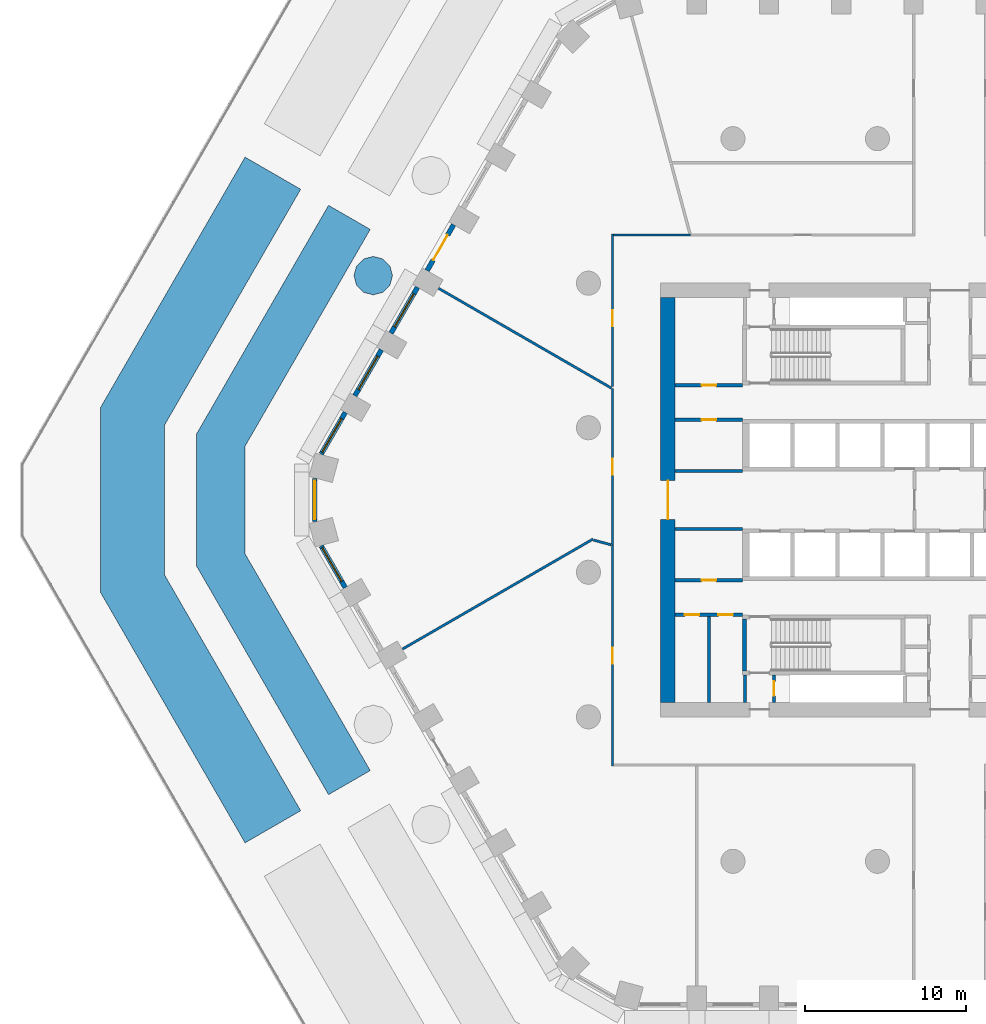
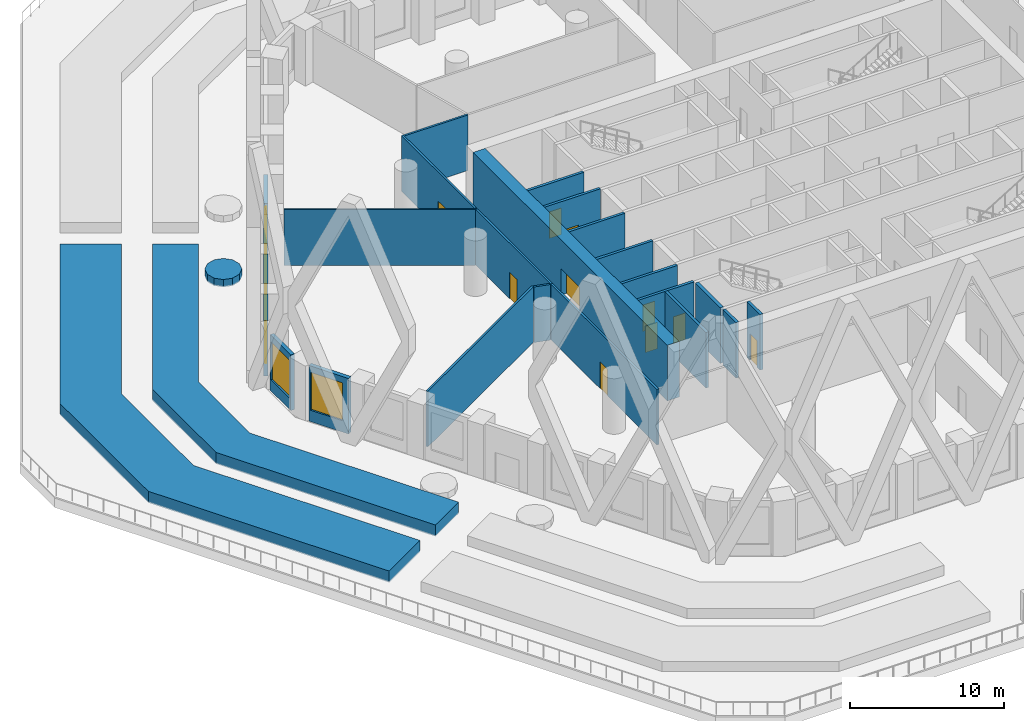
# One storey, part 5 of 27: 27 walls, 11 doors, 5 windows, 16 openings.
"""IFC4 building model written with IfcOpenShell, lengths in metres."""

from ifc_helpers import new_model, si_unit, direction, frame, frame_2d, origin, place, context, subcontext, project, spatial, polyline, rectangle, outline, extrude, material, layer, layer_set, type_object, element, fill, save


model = new_model("IFC4")

# Units and contexts
model_context = context("Model", 3, precision=1e-05, world=origin(), true_north=direction((0.0, 1.0)))
body_context = subcontext(model_context, "Body", "Model", "MODEL_VIEW")
ifc_project = project(units=[si_unit("LENGTHUNIT", "METRE"), si_unit("AREAUNIT", "SQUARE_METRE"), si_unit("VOLUMEUNIT", "CUBIC_METRE"), si_unit("PLANEANGLEUNIT", "RADIAN"), si_unit("MASSUNIT", "GRAM", prefix="KILO")], contexts=[model_context])

# Site, building, storey
site_placement = place(None, origin())
site = spatial("IfcSite", under=ifc_project, at=site_placement, CompositionType="ELEMENT")
building_placement = place(site_placement, origin())
building = spatial("IfcBuilding", under=site, at=building_placement, Name="Dhurran Vertical Campus", CompositionType="ELEMENT")
storey_placement = place(building_placement, frame((0.0, 0.0, 10.800048828125)))
storey = spatial("IfcBuildingStorey", under=building, at=storey_placement, Name="L02", CompositionType="ELEMENT", Elevation=10.800048828125)

# Wall, opening, door
ifc_material_1 = material(Name="Precast concrete C50/60", Category="concrete")
ifc_layer_1 = layer(ifc_material_1, 0.300048828125)
ifc_layer_set_1 = layer_set([ifc_layer_1], Name="Precast concrete C50/60")
wall_type_1 = type_object("IfcWallType", Name="Precast spandrel wall 300", PredefinedType="SOLIDWALL", material=ifc_layer_set_1)
wall_1_placement = place(storey_placement, frame((-32.543701171875, 14.286376953125, 0.0), z_axis=(0.0, 0.0, 1.0), x_axis=(0.499991515992, 0.866030301974, 0.0)))
wall_1 = element("IfcWall", 1, at=wall_1_placement, inside=storey, type_object=wall_type_1, Name="EW1 L02.39", PredefinedType="SOLIDWALL", context=body_context, shape_type="SweptSolid", body=[
    extrude(rectangle(XDim=3.298828125, YDim=0.300048828125, at=frame_2d((1.6494140625, 0.0))), origin(), (0.0, 0.0, 1.0), 4.39990234375),
])
opening_1_placement = place(wall_1_placement, frame((0.74951171875, 0.0, 0.0)))
opening_1 = element("IfcOpeningElement", 2, at=opening_1_placement, cuts=wall_1, Name="Opening D105", PredefinedType="OPENING", context=body_context, shape_type="SweptSolid", body=[
    extrude(rectangle(XDim=1.800048828125, YDim=2.39990234375, at=frame_2d((0.89990234375, 1.199951171875))), frame((0.0, 0.159912109375, 0.0), z_axis=(0.0, -1.0, 0.0), x_axis=(1.0, 0.0, 0.0)), (0.0, 0.0, 1.0), 0.320068359375),
])
ifc_material_2 = material(Name="Aluminium and clear glass", Category="aluminium")
door_type_1 = type_object("IfcDoorType", Name="Aluminium and glass garden door pair 1800 x 2400", OperationType="DOUBLE_DOOR_SINGLE_SWING", PredefinedType="DOOR", material=ifc_material_2)
door_1_placement = place(opening_1_placement, origin())
door_1 = element("IfcDoor", 3, at=door_1_placement, inside=storey, type_object=door_type_1, Name="D105 garden deck door", OperationType="DOUBLE_DOOR_SINGLE_SWING", OverallHeight=2.39990234375, OverallWidth=1.800048828125, PredefinedType="DOOR", context=body_context, shape_type="SweptSolid", body=[
    extrude(rectangle(XDim=1.800048828125, YDim=2.39990234375, at=frame_2d((0.89990234375, 1.199951171875))), frame((0.0, 0.02490234375, 0.0), z_axis=(0.0, -1.0, 0.0), x_axis=(1.0, 0.0, 0.0)), (0.0, 0.0, 1.0), 0.050048828125),
])
fill(opening_1, door_1)

# Wall, opening, window
wall_2_placement = place(storey_placement, frame((-33.144287109375, 13.246337890625, 0.0), z_axis=(0.0, 0.0, 1.0), x_axis=(-0.499991515992, -0.866030301974, 0.0)))
wall_2 = element("IfcWall", 4, at=wall_2_placement, inside=storey, type_object=wall_type_1, Name="EW1 L02.40", PredefinedType="SOLIDWALL", context=body_context, shape_type="SweptSolid", body=[
    extrude(rectangle(XDim=3.298828125, YDim=0.300048828125, at=frame_2d((1.6494140625, 0.0))), origin(), (0.0, 0.0, 1.0), 4.39990234375),
])
opening_2_placement = place(wall_2_placement, frame((0.449462890625, 0.0, 0.89990234375)))
opening_2 = element("IfcOpeningElement", 5, at=opening_2_placement, cuts=wall_2, Name="Opening WT2", PredefinedType="OPENING", context=body_context, shape_type="SweptSolid", body=[
    extrude(rectangle(XDim=2.39990234375, YDim=3.0, at=frame_2d((1.199951171875, 1.5))), frame((0.0, 0.159912109375, 0.0), z_axis=(0.0, -1.0, 0.0), x_axis=(1.0, 0.0, 0.0)), (0.0, 0.0, 1.0), 0.320068359375),
])
ifc_material_3 = material(Name="Aluminium frame with solar-control glass", Category="aluminium")
window_type = type_object("IfcWindowType", Name="Podium window 2400 x 3000", PartitioningType="SINGLE_PANEL", PredefinedType="WINDOW", material=ifc_material_3)
window_1_placement = place(opening_2_placement, origin())
window_1 = element("IfcWindow", 6, at=window_1_placement, inside=storey, type_object=window_type, Name="WT2 L02.40", OverallHeight=3.0, OverallWidth=2.39990234375, PartitioningType="SINGLE_PANEL", PredefinedType="WINDOW", context=body_context, shape_type="SweptSolid", body=[
    extrude(rectangle(XDim=2.39990234375, YDim=3.0, at=frame_2d((1.199951171875, 1.5))), frame((0.0, 0.030029296875, 0.0), z_axis=(0.0, -1.0, 0.0), x_axis=(1.0, 0.0, 0.0)), (0.0, 0.0, 1.0), 0.06005859375),
])
fill(opening_2, window_1)

wall_3_placement = place(storey_placement, frame((-35.394287109375, 9.34912109375, 0.0), z_axis=(0.0, 0.0, 1.0), x_axis=(-0.499991515992, -0.866030301974, 0.0)))
wall_3 = element("IfcWall", 7, at=wall_3_placement, inside=storey, type_object=wall_type_1, Name="EW1 L02.41", PredefinedType="SOLIDWALL", context=body_context, shape_type="SweptSolid", body=[
    extrude(rectangle(XDim=3.298828125, YDim=0.300048828125, at=frame_2d((1.6494140625, 0.0))), origin(), (0.0, 0.0, 1.0), 4.39990234375),
])
opening_3_placement = place(wall_3_placement, frame((0.449462890625, 0.0, 0.89990234375)))
opening_3 = element("IfcOpeningElement", 8, at=opening_3_placement, cuts=wall_3, Name="Opening WT2", PredefinedType="OPENING", context=body_context, shape_type="SweptSolid", body=[
    extrude(rectangle(XDim=2.39990234375, YDim=3.0, at=frame_2d((1.199951171875, 1.5))), frame((0.0, 0.159912109375, 0.0), z_axis=(0.0, -1.0, 0.0), x_axis=(1.0, 0.0, 0.0)), (0.0, 0.0, 1.0), 0.320068359375),
])
window_2_placement = place(opening_3_placement, origin())
window_2 = element("IfcWindow", 9, at=window_2_placement, inside=storey, type_object=window_type, Name="WT2 L02.41", OverallHeight=3.0, OverallWidth=2.39990234375, PartitioningType="SINGLE_PANEL", PredefinedType="WINDOW", context=body_context, shape_type="SweptSolid", body=[
    extrude(rectangle(XDim=2.39990234375, YDim=3.0, at=frame_2d((1.199951171875, 1.5))), frame((0.0, 0.030029296875, 0.0), z_axis=(0.0, -1.0, 0.0), x_axis=(1.0, 0.0, 0.0)), (0.0, 0.0, 1.0), 0.06005859375),
])
fill(opening_3, window_2)

wall_4_placement = place(storey_placement, frame((-37.644287109375, 5.4521484375, 0.0), z_axis=(0.0, 0.0, 1.0), x_axis=(-0.49999586137, -0.866027793211, 0.0)))
wall_4 = element("IfcWall", 10, at=wall_4_placement, inside=storey, type_object=wall_type_1, Name="EW1 L02.42", PredefinedType="SOLIDWALL", context=body_context, shape_type="SweptSolid", body=[
    extrude(rectangle(XDim=2.98876953125, YDim=0.300048828125, at=frame_2d((1.494384765625, 0.0))), origin(), (0.0, 0.0, 1.0), 4.39990234375),
])
opening_4_placement = place(wall_4_placement, frame((0.449462890625, 0.0, 0.89990234375)))
opening_4 = element("IfcOpeningElement", 11, at=opening_4_placement, cuts=wall_4, Name="Opening WT2", PredefinedType="OPENING", context=body_context, shape_type="SweptSolid", body=[
    extrude(rectangle(XDim=2.39990234375, YDim=3.0, at=frame_2d((1.199951171875, 1.5))), frame((0.0, 0.159912109375, 0.0), z_axis=(0.0, -1.0, 0.0), x_axis=(1.0, 0.0, 0.0)), (0.0, 0.0, 1.0), 0.320068359375),
])
window_3_placement = place(opening_4_placement, origin())
window_3 = element("IfcWindow", 12, at=window_3_placement, inside=storey, type_object=window_type, Name="WT2 L02.42", OverallHeight=3.0, OverallWidth=2.39990234375, PartitioningType="SINGLE_PANEL", PredefinedType="WINDOW", context=body_context, shape_type="SweptSolid", body=[
    extrude(rectangle(XDim=2.39990234375, YDim=3.0, at=frame_2d((1.199951171875, 1.5))), frame((0.0, 0.030029296875, 0.0), z_axis=(0.0, -1.0, 0.0), x_axis=(1.0, 0.0, 0.0)), (0.0, 0.0, 1.0), 0.06005859375),
])
fill(opening_4, window_3)

wall_5_placement = place(storey_placement, frame((-39.547119140625, 1.33935546875, 0.0), z_axis=(0.0, 0.0, 1.0), x_axis=(0.0, -1.0, 0.0)))
wall_5 = element("IfcWall", 13, at=wall_5_placement, inside=storey, type_object=wall_type_1, Name="EW1 L02.43", PredefinedType="SOLIDWALL", context=body_context, shape_type="SweptSolid", body=[
    extrude(rectangle(XDim=2.6787109375, YDim=0.300048828125, at=frame_2d((1.33935546875, 0.0))), origin(), (0.0, 0.0, 1.0), 4.39990234375),
])
opening_5_placement = place(wall_5_placement, frame((0.139404296875, 0.0, 0.89990234375)))
opening_5 = element("IfcOpeningElement", 14, at=opening_5_placement, cuts=wall_5, Name="Opening WT2", PredefinedType="OPENING", context=body_context, shape_type="SweptSolid", body=[
    extrude(rectangle(XDim=2.39990234375, YDim=3.0, at=frame_2d((1.199951171875, 1.5))), frame((0.0, 0.159912109375, 0.0), z_axis=(0.0, -1.0, 0.0), x_axis=(1.0, 0.0, 0.0)), (0.0, 0.0, 1.0), 0.320068359375),
])
window_4_placement = place(opening_5_placement, origin())
window_4 = element("IfcWindow", 15, at=window_4_placement, inside=storey, type_object=window_type, Name="WT2 L02.43", OverallHeight=3.0, OverallWidth=2.39990234375, PartitioningType="SINGLE_PANEL", PredefinedType="WINDOW", context=body_context, shape_type="SweptSolid", body=[
    extrude(rectangle(XDim=2.39990234375, YDim=3.0, at=frame_2d((1.199951171875, 1.5))), frame((0.0, 0.030029296875, 0.0), z_axis=(0.0, -1.0, 0.0), x_axis=(1.0, 0.0, 0.0)), (0.0, 0.0, 1.0), 0.06005859375),
])
fill(opening_5, window_4)

wall_6_placement = place(storey_placement, frame((-39.138671875, -2.86376953125, 0.0), z_axis=(0.0, 0.0, 1.0), x_axis=(0.49999586137, -0.866027793211, 0.0)))
wall_6 = element("IfcWall", 16, at=wall_6_placement, inside=storey, type_object=wall_type_1, Name="EW1 L02.44", PredefinedType="SOLIDWALL", context=body_context, shape_type="SweptSolid", body=[
    extrude(rectangle(XDim=2.98876953125, YDim=0.300048828125, at=frame_2d((1.494384765625, 0.0))), origin(), (0.0, 0.0, 1.0), 4.39990234375),
])
opening_6_placement = place(wall_6_placement, frame((0.139404296875, 0.0, 0.89990234375)))
opening_6 = element("IfcOpeningElement", 17, at=opening_6_placement, cuts=wall_6, Name="Opening WT2", PredefinedType="OPENING", context=body_context, shape_type="SweptSolid", body=[
    extrude(rectangle(XDim=2.39990234375, YDim=3.0, at=frame_2d((1.199951171875, 1.5))), frame((0.0, 0.159912109375, 0.0), z_axis=(0.0, -1.0, 0.0), x_axis=(1.0, 0.0, 0.0)), (0.0, 0.0, 1.0), 0.320068359375),
])
window_5_placement = place(opening_6_placement, origin())
window_5 = element("IfcWindow", 18, at=window_5_placement, inside=storey, type_object=window_type, Name="WT2 L02.44", OverallHeight=3.0, OverallWidth=2.39990234375, PartitioningType="SINGLE_PANEL", PredefinedType="WINDOW", context=body_context, shape_type="SweptSolid", body=[
    extrude(rectangle(XDim=2.39990234375, YDim=3.0, at=frame_2d((1.199951171875, 1.5))), frame((0.0, 0.030029296875, 0.0), z_axis=(0.0, -1.0, 0.0), x_axis=(1.0, 0.0, 0.0)), (0.0, 0.0, 1.0), 0.06005859375),
])
fill(opening_6, window_5)

# Wall, opening, door
ifc_material_4 = material(Name="Concrete C60/75", Category="concrete")
ifc_layer_2 = layer(ifc_material_4, 0.89990234375)
ifc_layer_set_2 = layer_set([ifc_layer_2], Name="Concrete C60/75")
wall_type_2 = type_object("IfcWallType", Name="co-CORE-WALL-C0-900", PredefinedType="SHEAR", material=ifc_layer_set_2)
wall_7_placement = place(storey_placement, frame((-17.550048828125, -12.60009765625, 0.0), z_axis=(0.0, 0.0, 1.0), x_axis=(0.0, 1.0, 0.0)))
wall_7 = element("IfcWall", 19, at=wall_7_placement, inside=storey, type_object=wall_type_2, Name="Core wall W L02", PredefinedType="SHEAR", context=body_context, shape_type="SweptSolid", body=[
    extrude(rectangle(XDim=25.2001953125, YDim=0.89990234375, at=frame_2d((12.60009765625, 0.0))), origin(), (0.0, 0.0, 1.0), 4.39990234375),
])
opening_7_placement = place(wall_7_placement, frame((11.39990234375, 0.0, 0.0)))
opening_7 = element("IfcOpeningElement", 20, at=opening_7_placement, cuts=wall_7, Name="Opening CL1", PredefinedType="OPENING", context=body_context, shape_type="SweptSolid", body=[
    extrude(rectangle(XDim=2.39990234375, YDim=2.10009765625, at=frame_2d((1.199951171875, 1.050048828125))), frame((0.0, 0.4599609375, 0.0), z_axis=(0.0, -1.0, 0.0), x_axis=(1.0, 0.0, 0.0)), (0.0, 0.0, 1.0), 0.919921875),
])
ifc_material_5 = material(Name="Fire-rated glazed door set")
door_type_2 = type_object("IfcDoorType", Name="co-D-LOBBY 2400x2100", OperationType="DOUBLE_DOOR_DOUBLE_SWING", PredefinedType="DOOR", material=ifc_material_5)
door_2_placement = place(opening_7_placement, origin())
door_2 = element("IfcDoor", 21, at=door_2_placement, inside=storey, type_object=door_type_2, Name="Lift lobby door W L02", OperationType="DOUBLE_DOOR_DOUBLE_SWING", OverallHeight=2.10009765625, OverallWidth=2.39990234375, PredefinedType="DOOR", context=body_context, shape_type="SweptSolid", body=[
    extrude(rectangle(XDim=2.39990234375, YDim=2.10009765625, at=frame_2d((1.199951171875, 1.050048828125))), frame((0.0, 0.02490234375, 0.0), z_axis=(0.0, -1.0, 0.0), x_axis=(1.0, 0.0, 0.0)), (0.0, 0.0, 1.0), 0.050048828125),
])
fill(opening_7, door_2)

# Wall
ifc_material_6 = material(Name="Fire-rated masonry blockwork", Category="masonry")
ifc_layer_3 = layer(ifc_material_6, 0.199951171875)
ifc_layer_set_3 = layer_set([ifc_layer_3], Name="Fire-rated masonry blockwork")
wall_type_3 = type_object("IfcWallType", Name="co-FIRE-PARTITION-200", PredefinedType="PARTITIONING", material=ifc_layer_set_3)
wall_8_placement = place(storey_placement, frame((-12.75, -12.60009765625, 0.0), z_axis=(0.0, 0.0, 1.0), x_axis=(0.0, 1.0, 0.0)))
element("IfcWall", 22, at=wall_8_placement, inside=storey, type_object=wall_type_3, Name="Core partition pass-ST3-o L02", PredefinedType="PARTITIONING", context=body_context, shape_type="SweptSolid", body=[
    extrude(rectangle(XDim=1.7001953125, YDim=0.199951171875, at=frame_2d((0.85009765625, 0.0))), origin(), (0.0, 0.0, 1.0), 4.39990234375),
])

# Wall, opening, door
wall_9_placement = place(storey_placement, frame((-10.949951171875, -12.60009765625, 0.0), z_axis=(0.0, 0.0, 1.0), x_axis=(0.0, 1.0, 0.0)))
wall_9 = element("IfcWall", 23, at=wall_9_placement, inside=storey, type_object=wall_type_3, Name="Core partition pass-ST3-i L02", PredefinedType="PARTITIONING", context=body_context, shape_type="SweptSolid", body=[
    extrude(rectangle(XDim=1.7001953125, YDim=0.199951171875, at=frame_2d((0.85009765625, 0.0))), origin(), (0.0, 0.0, 1.0), 4.39990234375),
])
opening_8_placement = place(wall_9_placement, frame((0.39990234375, 0.0, 0.0)))
opening_8 = element("IfcOpeningElement", 24, at=opening_8_placement, cuts=wall_9, Name="Opening PD02-C12", PredefinedType="OPENING", context=body_context, shape_type="SweptSolid", body=[
    extrude(rectangle(XDim=0.89990234375, YDim=2.10009765625, at=frame_2d((0.449951171875, 1.050048828125))), frame((0.0, 0.10986328125, 0.0), z_axis=(0.0, -1.0, 0.0), x_axis=(1.0, 0.0, 0.0)), (0.0, 0.0, 1.0), 0.219970703125),
])
ifc_material_7 = material(Name="Fire-rated timber door set", Category="wood")
door_type_3 = type_object("IfcDoorType", Name="co-D-ROOM 900x2100", OperationType="SINGLE_SWING_LEFT", PredefinedType="DOOR", material=ifc_material_7)
door_3_placement = place(opening_8_placement, origin())
door_3 = element("IfcDoor", 25, at=door_3_placement, inside=storey, type_object=door_type_3, Name="Riser room door L02", OperationType="SINGLE_SWING_LEFT", OverallHeight=2.10009765625, OverallWidth=0.89990234375, PredefinedType="DOOR", context=body_context, shape_type="SweptSolid", body=[
    extrude(rectangle(XDim=0.89990234375, YDim=2.10009765625, at=frame_2d((0.449951171875, 1.050048828125))), frame((0.0, 0.02490234375, 0.0), z_axis=(0.0, -1.0, 0.0), x_axis=(1.0, 0.0, 0.0)), (0.0, 0.0, 1.0), 0.050048828125),
])
fill(opening_8, door_3)

wall_10_placement = place(storey_placement, frame((-17.10009765625, 7.14990234375, 0.0), z_axis=(0.0, 0.0, 1.0), x_axis=(1.0, 0.0, 0.0)))
wall_10 = element("IfcWall", 26, at=wall_10_placement, inside=storey, type_object=wall_type_3, Name="Core partition en-NW-w L02", PredefinedType="PARTITIONING", context=body_context, shape_type="SweptSolid", body=[
    extrude(rectangle(XDim=4.2001953125, YDim=0.199951171875, at=frame_2d((2.10009765625, 0.0))), origin(), (0.0, 0.0, 1.0), 4.39990234375),
])
opening_9_placement = place(wall_10_placement, frame((1.64990234375, 0.0, 0.0)))
opening_9 = element("IfcOpeningElement", 27, at=opening_9_placement, cuts=wall_10, Name="Opening PD02-C14", PredefinedType="OPENING", context=body_context, shape_type="SweptSolid", body=[
    extrude(rectangle(XDim=0.89990234375, YDim=2.10009765625, at=frame_2d((0.449951171875, 1.050048828125))), frame((0.0, 0.10986328125, 0.0), z_axis=(0.0, -1.0, 0.0), x_axis=(1.0, 0.0, 0.0)), (0.0, 0.0, 1.0), 0.219970703125),
])
door_4_placement = place(opening_9_placement, origin())
door_4 = element("IfcDoor", 28, at=door_4_placement, inside=storey, type_object=door_type_3, Name="Electrical riser door L02", OperationType="SINGLE_SWING_LEFT", OverallHeight=2.10009765625, OverallWidth=0.89990234375, PredefinedType="DOOR", context=body_context, shape_type="SweptSolid", body=[
    extrude(rectangle(XDim=0.89990234375, YDim=2.10009765625, at=frame_2d((0.449951171875, 1.050048828125))), frame((0.0, 0.02490234375, 0.0), z_axis=(0.0, -1.0, 0.0), x_axis=(1.0, 0.0, 0.0)), (0.0, 0.0, 1.0), 0.050048828125),
])
fill(opening_9, door_4)

wall_11_placement = place(storey_placement, frame((-17.10009765625, 5.0, 0.0), z_axis=(0.0, 0.0, 1.0), x_axis=(1.0, 0.0, 0.0)))
wall_11 = element("IfcWall", 29, at=wall_11_placement, inside=storey, type_object=wall_type_3, Name="Core partition es-NW-w L02", PredefinedType="PARTITIONING", context=body_context, shape_type="SweptSolid", body=[
    extrude(rectangle(XDim=4.2001953125, YDim=0.199951171875, at=frame_2d((2.10009765625, 0.0))), origin(), (0.0, 0.0, 1.0), 4.39990234375),
])
opening_10_placement = place(wall_11_placement, frame((1.64990234375, 0.0, 0.0)))
opening_10 = element("IfcOpeningElement", 30, at=opening_10_placement, cuts=wall_11, Name="Opening PD02-C15", PredefinedType="OPENING", context=body_context, shape_type="SweptSolid", body=[
    extrude(rectangle(XDim=0.89990234375, YDim=2.10009765625, at=frame_2d((0.449951171875, 1.050048828125))), frame((0.0, 0.10986328125, 0.0), z_axis=(0.0, -1.0, 0.0), x_axis=(1.0, 0.0, 0.0)), (0.0, 0.0, 1.0), 0.219970703125),
])
door_5_placement = place(opening_10_placement, origin())
door_5 = element("IfcDoor", 31, at=door_5_placement, inside=storey, type_object=door_type_3, Name="Fire equipment store door L02", OperationType="SINGLE_SWING_LEFT", OverallHeight=2.10009765625, OverallWidth=0.89990234375, PredefinedType="DOOR", context=body_context, shape_type="SweptSolid", body=[
    extrude(rectangle(XDim=0.89990234375, YDim=2.10009765625, at=frame_2d((0.449951171875, 1.050048828125))), frame((0.0, 0.02490234375, 0.0), z_axis=(0.0, -1.0, 0.0), x_axis=(1.0, 0.0, 0.0)), (0.0, 0.0, 1.0), 0.050048828125),
])
fill(opening_10, door_5)

# Walls
wall_12_placement = place(storey_placement, frame((-17.10009765625, 1.800048828125, 0.0), z_axis=(0.0, 0.0, 1.0), x_axis=(1.0, 0.0, 0.0)))
element("IfcWall", 32, at=wall_12_placement, inside=storey, type_object=wall_type_3, Name="Core partition es-NW-l L02", PredefinedType="PARTITIONING", context=body_context, shape_type="SweptSolid", body=[
    extrude(rectangle(XDim=4.2001953125, YDim=0.199951171875, at=frame_2d((2.10009765625, 0.0))), origin(), (0.0, 0.0, 1.0), 4.39990234375),
])
wall_13_placement = place(storey_placement, frame((-15.0, -12.60009765625, 0.0), z_axis=(0.0, 0.0, 1.0), x_axis=(0.0, 1.0, 0.0)))
element("IfcWall", 33, at=wall_13_placement, inside=storey, type_object=wall_type_3, Name="Core partition en-SW-cut0 L02", PredefinedType="PARTITIONING", context=body_context, shape_type="SweptSolid", body=[
    extrude(rectangle(XDim=5.4501953125, YDim=0.199951171875, at=frame_2d((2.72509765625, 0.0))), origin(), (0.0, 0.0, 1.0), 4.39990234375),
])

# Wall, openings, doors
wall_14_placement = place(storey_placement, frame((-17.10009765625, -7.14990234375, 0.0), z_axis=(0.0, 0.0, 1.0), x_axis=(1.0, 0.0, 0.0)))
wall_14 = element("IfcWall", 34, at=wall_14_placement, inside=storey, type_object=wall_type_3, Name="Core partition en-SW-w L02", PredefinedType="PARTITIONING", context=body_context, shape_type="SweptSolid", body=[
    extrude(rectangle(XDim=4.2001953125, YDim=0.199951171875, at=frame_2d((2.10009765625, 0.0))), origin(), (0.0, 0.0, 1.0), 4.39990234375),
])
opening_11_placement = place(wall_14_placement, frame((0.60009765625, 0.0, 0.0)))
opening_11 = element("IfcOpeningElement", 35, at=opening_11_placement, cuts=wall_14, Name="Opening PD02-C18", PredefinedType="OPENING", context=body_context, shape_type="SweptSolid", body=[
    extrude(rectangle(XDim=0.89990234375, YDim=2.10009765625, at=frame_2d((0.449951171875, 1.050048828125))), frame((0.0, 0.10986328125, 0.0), z_axis=(0.0, -1.0, 0.0), x_axis=(1.0, 0.0, 0.0)), (0.0, 0.0, 1.0), 0.219970703125),
])
opening_12_placement = place(wall_14_placement, frame((2.699951171875, 0.0, 0.0)))
opening_12 = element("IfcOpeningElement", 36, at=opening_12_placement, cuts=wall_14, Name="Opening PD02-C19", PredefinedType="OPENING", context=body_context, shape_type="SweptSolid", body=[
    extrude(rectangle(XDim=0.89990234375, YDim=2.10009765625, at=frame_2d((0.449951171875, 1.050048828125))), frame((0.0, 0.10986328125, 0.0), z_axis=(0.0, -1.0, 0.0), x_axis=(1.0, 0.0, 0.0)), (0.0, 0.0, 1.0), 0.219970703125),
])
door_6_placement = place(opening_11_placement, origin())
door_6 = element("IfcDoor", 37, at=door_6_placement, inside=storey, type_object=door_type_3, Name="Cleaner's store door L02", OperationType="SINGLE_SWING_LEFT", OverallHeight=2.10009765625, OverallWidth=0.89990234375, PredefinedType="DOOR", context=body_context, shape_type="SweptSolid", body=[
    extrude(rectangle(XDim=0.89990234375, YDim=2.10009765625, at=frame_2d((0.449951171875, 1.050048828125))), frame((0.0, 0.02490234375, 0.0), z_axis=(0.0, -1.0, 0.0), x_axis=(1.0, 0.0, 0.0)), (0.0, 0.0, 1.0), 0.050048828125),
])
fill(opening_11, door_6)
door_7_placement = place(opening_12_placement, origin())
door_7 = element("IfcDoor", 38, at=door_7_placement, inside=storey, type_object=door_type_3, Name="Electrical riser door L02", OperationType="SINGLE_SWING_LEFT", OverallHeight=2.10009765625, OverallWidth=0.89990234375, PredefinedType="DOOR", context=body_context, shape_type="SweptSolid", body=[
    extrude(rectangle(XDim=0.89990234375, YDim=2.10009765625, at=frame_2d((0.449951171875, 1.050048828125))), frame((0.0, 0.02490234375, 0.0), z_axis=(0.0, -1.0, 0.0), x_axis=(1.0, 0.0, 0.0)), (0.0, 0.0, 1.0), 0.050048828125),
])
fill(opening_12, door_7)

# Wall, opening, door
wall_15_placement = place(storey_placement, frame((-17.10009765625, -5.0, 0.0), z_axis=(0.0, 0.0, 1.0), x_axis=(1.0, 0.0, 0.0)))
wall_15 = element("IfcWall", 39, at=wall_15_placement, inside=storey, type_object=wall_type_3, Name="Core partition es-SW-w L02", PredefinedType="PARTITIONING", context=body_context, shape_type="SweptSolid", body=[
    extrude(rectangle(XDim=4.2001953125, YDim=0.199951171875, at=frame_2d((2.10009765625, 0.0))), origin(), (0.0, 0.0, 1.0), 4.39990234375),
])
opening_13_placement = place(wall_15_placement, frame((1.64990234375, 0.0, 0.0)))
opening_13 = element("IfcOpeningElement", 40, at=opening_13_placement, cuts=wall_15, Name="Opening PD02-C20", PredefinedType="OPENING", context=body_context, shape_type="SweptSolid", body=[
    extrude(rectangle(XDim=0.89990234375, YDim=2.10009765625, at=frame_2d((0.449951171875, 1.050048828125))), frame((0.0, 0.10986328125, 0.0), z_axis=(0.0, -1.0, 0.0), x_axis=(1.0, 0.0, 0.0)), (0.0, 0.0, 1.0), 0.219970703125),
])
door_8_placement = place(opening_13_placement, origin())
door_8 = element("IfcDoor", 41, at=door_8_placement, inside=storey, type_object=door_type_3, Name="Server room door L02", OperationType="SINGLE_SWING_LEFT", OverallHeight=2.10009765625, OverallWidth=0.89990234375, PredefinedType="DOOR", context=body_context, shape_type="SweptSolid", body=[
    extrude(rectangle(XDim=0.89990234375, YDim=2.10009765625, at=frame_2d((0.449951171875, 1.050048828125))), frame((0.0, 0.02490234375, 0.0), z_axis=(0.0, -1.0, 0.0), x_axis=(1.0, 0.0, 0.0)), (0.0, 0.0, 1.0), 0.050048828125),
])
fill(opening_13, door_8)

# Walls
wall_16_placement = place(storey_placement, frame((-17.10009765625, -1.800048828125, 0.0), z_axis=(0.0, 0.0, 1.0), x_axis=(1.0, 0.0, 0.0)))
element("IfcWall", 42, at=wall_16_placement, inside=storey, type_object=wall_type_3, Name="Core partition es-SW-l L02", PredefinedType="PARTITIONING", context=body_context, shape_type="SweptSolid", body=[
    extrude(rectangle(XDim=4.2001953125, YDim=0.199951171875, at=frame_2d((2.10009765625, 0.0))), origin(), (0.0, 0.0, 1.0), 4.39990234375),
])
ifc_material_8 = material(Name="Concrete C40/50", Category="concrete")
ifc_layer_4 = layer(ifc_material_8, 0.25)
ifc_layer_set_4 = layer_set([ifc_layer_4], Name="Concrete C40/50")
wall_type_4 = type_object("IfcWallType", Name="co-STAIR-WALL-250", PredefinedType="SHEAR", material=ifc_layer_set_4)
wall_17_placement = place(storey_placement, frame((-12.77490234375, -10.64990234375, 0.0), z_axis=(0.0, 0.0, 1.0), x_axis=(0.0, 1.0, 0.0)))
element("IfcWall", 43, at=wall_17_placement, inside=storey, type_object=wall_type_4, Name="Stair ST3 enclosure wall L02", PredefinedType="SHEAR", context=body_context, shape_type="SweptSolid", body=[
    extrude(rectangle(XDim=3.25, YDim=0.25, at=frame_2d((1.625, 0.0))), origin(), (0.0, 0.0, 1.0), 4.39990234375),
])

# Wall, opening, door
ifc_material_9 = material(Name="Gypsum board corridor wall on steel studs", Category="steel")
ifc_layer_5 = layer(ifc_material_9, 0.14990234375)
ifc_layer_set_5 = layer_set([ifc_layer_5], Name="Gypsum board corridor wall on steel studs")
wall_type_5 = type_object("IfcWallType", Name="fl-CW-150 corridor wall", PredefinedType="PARTITIONING", material=ifc_layer_set_5)
wall_18_placement = place(storey_placement, frame((-21.0, -2.81298828125, 0.0), z_axis=(0.0, 0.0, 1.0), x_axis=(0.0, -1.0, 0.0)))
wall_18 = element("IfcWall", 44, at=wall_18_placement, inside=storey, type_object=wall_type_5, Name="Partition 02-04", PredefinedType="PARTITIONING", context=body_context, shape_type="SweptSolid", body=[
    extrude(rectangle(XDim=13.761962890625, YDim=0.14990234375, at=frame_2d((6.880859375, 0.0))), origin(), (0.0, 0.0, 1.0), 4.39990234375),
])
opening_14_placement = place(wall_18_placement, frame((6.381103515625, 0.0, 0.0)))
opening_14 = element("IfcOpeningElement", 45, at=opening_14_placement, cuts=wall_18, Name="Opening PD02.02", PredefinedType="OPENING", context=body_context, shape_type="SweptSolid", body=[
    extrude(rectangle(XDim=1.0, YDim=2.10009765625, at=frame_2d((0.5, 1.050048828125))), frame((0.0, 0.0849609375, 0.0), z_axis=(0.0, -1.0, 0.0), x_axis=(1.0, 0.0, 0.0)), (0.0, 0.0, 1.0), 0.169921875),
])
ifc_material_10 = material(Name="Solid-core timber door set, fire-rated", Category="wood")
door_type_4 = type_object("IfcDoorType", Name="fl-D-1000x2100", OperationType="SINGLE_SWING_LEFT", PredefinedType="DOOR", material=ifc_material_10)
door_9_placement = place(opening_14_placement, origin())
door_9 = element("IfcDoor", 46, at=door_9_placement, inside=storey, type_object=door_type_4, Name="Door 02.02", OperationType="SINGLE_SWING_LEFT", OverallHeight=2.10009765625, OverallWidth=1.0, PredefinedType="DOOR", context=body_context, shape_type="SweptSolid", body=[
    extrude(rectangle(XDim=1.0, YDim=2.10009765625, at=frame_2d((0.5, 1.050048828125))), frame((0.0, 0.02490234375, 0.0), z_axis=(0.0, -1.0, 0.0), x_axis=(1.0, 0.0, 0.0)), (0.0, 0.0, 1.0), 0.050048828125),
])
fill(opening_14, door_9)

wall_19_placement = place(storey_placement, frame((-21.0, 6.927978515625, 0.0), z_axis=(0.0, 0.0, 1.0), x_axis=(0.0, -1.0, 0.0)))
wall_19 = element("IfcWall", 47, at=wall_19_placement, inside=storey, type_object=wall_type_5, Name="Partition 02-06", PredefinedType="PARTITIONING", context=body_context, shape_type="SweptSolid", body=[
    extrude(rectangle(XDim=9.740966796875, YDim=0.14990234375, at=frame_2d((4.87060546875, 0.0))), origin(), (0.0, 0.0, 1.0), 4.39990234375),
])
opening_15_placement = place(wall_19_placement, frame((4.37060546875, 0.0, 0.0)))
opening_15 = element("IfcOpeningElement", 48, at=opening_15_placement, cuts=wall_19, Name="Opening PD02.01", PredefinedType="OPENING", context=body_context, shape_type="SweptSolid", body=[
    extrude(rectangle(XDim=1.0, YDim=2.10009765625, at=frame_2d((0.5, 1.050048828125))), frame((0.0, 0.0849609375, 0.0), z_axis=(0.0, -1.0, 0.0), x_axis=(1.0, 0.0, 0.0)), (0.0, 0.0, 1.0), 0.169921875),
])
door_10_placement = place(opening_15_placement, origin())
door_10 = element("IfcDoor", 49, at=door_10_placement, inside=storey, type_object=door_type_4, Name="Door 02.01", OperationType="SINGLE_SWING_RIGHT", OverallHeight=2.10009765625, OverallWidth=1.0, PredefinedType="DOOR", context=body_context, shape_type="SweptSolid", body=[
    extrude(rectangle(XDim=1.0, YDim=2.10009765625, at=frame_2d((0.5, 1.050048828125))), frame((0.0, 0.02490234375, 0.0), z_axis=(0.0, -1.0, 0.0), x_axis=(1.0, 0.0, 0.0)), (0.0, 0.0, 1.0), 0.050048828125),
])
fill(opening_15, door_10)

wall_20_placement = place(storey_placement, frame((-21.0, 16.574951171875, 0.0), z_axis=(0.0, 0.0, 1.0), x_axis=(0.0, -1.0, 0.0)))
wall_20 = element("IfcWall", 50, at=wall_20_placement, inside=storey, type_object=wall_type_5, Name="Partition 02-07", PredefinedType="PARTITIONING", context=body_context, shape_type="SweptSolid", body=[
    extrude(rectangle(XDim=9.516845703125, YDim=0.14990234375, at=frame_2d((4.75830078125, 0.0))), origin(), (0.0, 0.0, 1.0), 4.39990234375),
])
opening_16_placement = place(wall_20_placement, frame((4.758544921875, 0.0, 0.0)))
opening_16 = element("IfcOpeningElement", 51, at=opening_16_placement, cuts=wall_20, Name="Opening PD02.03", PredefinedType="OPENING", context=body_context, shape_type="SweptSolid", body=[
    extrude(rectangle(XDim=1.0, YDim=2.10009765625, at=frame_2d((0.5, 1.050048828125))), frame((0.0, 0.0849609375, 0.0), z_axis=(0.0, -1.0, 0.0), x_axis=(1.0, 0.0, 0.0)), (0.0, 0.0, 1.0), 0.169921875),
])
door_11_placement = place(opening_16_placement, origin())
door_11 = element("IfcDoor", 52, at=door_11_placement, inside=storey, type_object=door_type_4, Name="Door 02.03", OperationType="SINGLE_SWING_RIGHT", OverallHeight=2.10009765625, OverallWidth=1.0, PredefinedType="DOOR", context=body_context, shape_type="SweptSolid", body=[
    extrude(rectangle(XDim=1.0, YDim=2.10009765625, at=frame_2d((0.5, 1.050048828125))), frame((0.0, 0.02490234375, 0.0), z_axis=(0.0, -1.0, 0.0), x_axis=(1.0, 0.0, 0.0)), (0.0, 0.0, 1.0), 0.050048828125),
])
fill(opening_16, door_11)

# Walls
wall_21_placement = place(storey_placement, frame((-16.156005859375, 16.5, 0.0), z_axis=(0.0, 0.0, 1.0), x_axis=(-1.0, 0.0, 0.0)))
element("IfcWall", 53, at=wall_21_placement, inside=storey, type_object=wall_type_5, Name="Partition 02-08", PredefinedType="PARTITIONING", context=body_context, shape_type="SweptSolid", body=[
    extrude(rectangle(XDim=4.76904296875, YDim=0.14990234375, at=frame_2d((2.384521484375, 0.0))), origin(), (0.0, 0.0, 1.0), 4.39990234375),
])
ifc_material_11 = material(Name="Gypsum board partition on steel studs", Category="steel")
ifc_layer_6 = layer(ifc_material_11, 0.14990234375)
ifc_layer_set_6 = layer_set([ifc_layer_6], Name="Gypsum board partition on steel studs")
wall_type_6 = type_object("IfcWallType", Name="fl-PW-150 fixed partition", PredefinedType="PARTITIONING", material=ifc_layer_set_6)
wall_22_placement = place(storey_placement, frame((-22.214111328125, -2.43359375, 0.0), z_axis=(0.0, 0.0, 1.0), x_axis=(-0.866046135423, -0.499964090029, 0.0)))
element("IfcWall", 54, at=wall_22_placement, inside=storey, type_object=wall_type_6, Name="Partition 02-01", PredefinedType="PARTITIONING", context=body_context, shape_type="SweptSolid", body=[
    extrude(rectangle(XDim=13.7021484375, YDim=0.14990234375, at=frame_2d((6.85107421875, 0.0))), origin(), (0.0, 0.0, 1.0), 4.39990234375),
])
wall_23_placement = place(storey_placement, frame((-31.830810546875, 13.18115234375, 0.0), z_axis=(0.0, 0.0, 1.0), x_axis=(0.866028931402, -0.499993889937, 0.0)))
element("IfcWall", 55, at=wall_23_placement, inside=storey, type_object=wall_type_6, Name="Partition 02-02", PredefinedType="PARTITIONING", context=body_context, shape_type="SweptSolid", body=[
    extrude(rectangle(XDim=12.431396484375, YDim=0.14990234375, at=frame_2d((6.2158203125, 0.0))), origin(), (0.0, 0.0, 1.0), 4.39990234375),
])
wall_24_placement = place(storey_placement, frame((-21.091796875, -2.788330078125, 0.0), z_axis=(0.0, 0.0, 1.0), x_axis=(-0.966065265568, 0.25829808877, 0.0)))
element("IfcWall", 56, at=wall_24_placement, inside=storey, type_object=wall_type_6, Name="Partition 02-03", PredefinedType="PARTITIONING", context=body_context, shape_type="SweptSolid", body=[
    extrude(rectangle(XDim=1.123779296875, YDim=0.14990234375, at=frame_2d((0.56201171875, 0.0))), origin(), (0.0, 0.0, 1.0), 4.39990234375),
])
ifc_material_12 = material(Name="Concrete C35/45", Category="concrete")
ifc_layer_7 = layer(ifc_material_12, 3.0)
ifc_layer_set_7 = layer_set([ifc_layer_7], Name="Concrete C35/45")
wall_type_7 = type_object("IfcWallType", Name="st-planting bed 900", PredefinedType="SOLIDWALL", material=ifc_layer_set_7)
wall_25_placement = place(storey_placement, origin())
element("IfcWall", 57, at=wall_25_placement, inside=storey, type_object=wall_type_7, Name="Planter 05", PredefinedType="SOLIDWALL", context=body_context, shape_type="SweptSolid", body=[
    extrude(outline(polyline([(-52.897216796875, -5.7333984375), (-43.88037109375, -21.3505859375), (-40.416259765625, -19.3505859375), (-48.897216796875, -4.66162109375), (-48.897216796875, 4.66162109375), (-40.416259765625, 19.3505859375), (-43.88037109375, 21.3505859375), (-52.897216796875, 5.7333984375), (-52.897216796875, -5.7333984375)])), origin(), (0.0, 0.0, 1.0), 0.89990234375),
])
wall_26_placement = place(storey_placement, origin())
element("IfcWall", 58, at=wall_26_placement, inside=storey, type_object=wall_type_7, Name="Planter 06", PredefinedType="SOLIDWALL", context=body_context, shape_type="SweptSolid", body=[
    extrude(outline(polyline([(-46.897216796875, -4.12548828125), (-38.684326171875, -18.3505859375), (-36.086181640625, -16.8505859375), (-43.897216796875, -3.32177734375), (-43.897216796875, 3.32177734375), (-36.086181640625, 16.8505859375), (-38.684326171875, 18.3505859375), (-46.897216796875, 4.12548828125), (-46.897216796875, -4.12548828125)])), origin(), (0.0, 0.0, 1.0), 0.89990234375),
])
ifc_material_13 = material(Name="Concrete C35/45", Category="concrete")
ifc_layer_8 = layer(ifc_material_13, 2.39990234375)
ifc_layer_set_8 = layer_set([ifc_layer_8], Name="Concrete C35/45")
wall_type_8 = type_object("IfcWallType", Name="st-tree pit 600", PredefinedType="SOLIDWALL", material=ifc_layer_set_8)
wall_27_placement = place(storey_placement, origin())
element("IfcWall", 59, at=wall_27_placement, inside=storey, type_object=wall_type_8, Name="Tree pit 08", PredefinedType="SOLIDWALL", context=body_context, shape_type="SweptSolid", body=[
    extrude(outline(polyline([(-34.70068359375, 13.97216796875), (-34.861328125, 13.372314453125), (-35.300537109375, 12.93310546875), (-35.900634765625, 12.772216796875), (-36.50048828125, 12.93310546875), (-36.939697265625, 13.372314453125), (-37.1005859375, 13.97216796875), (-36.939697265625, 14.572265625), (-36.50048828125, 15.011474609375), (-35.900634765625, 15.172119140625), (-35.300537109375, 15.011474609375), (-34.861328125, 14.572265625), (-34.70068359375, 13.97216796875)])), origin(), (0.0, 0.0, 1.0), 0.599853515625),
])

save(model, "model.ifc")
